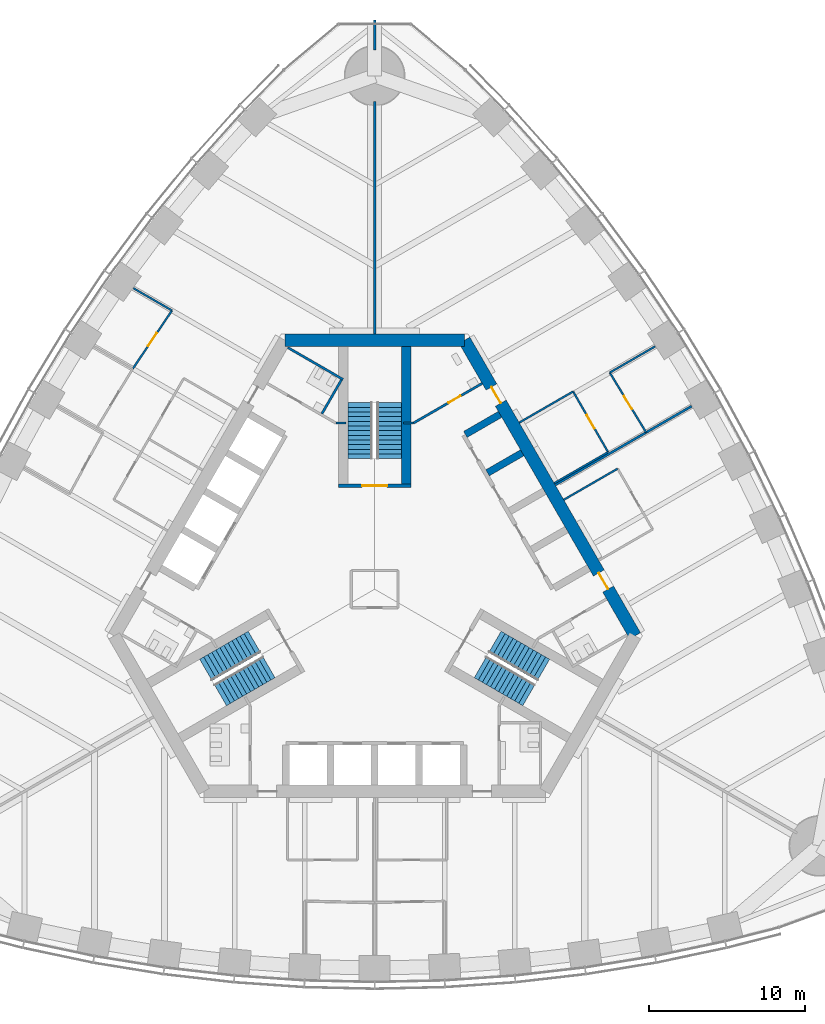
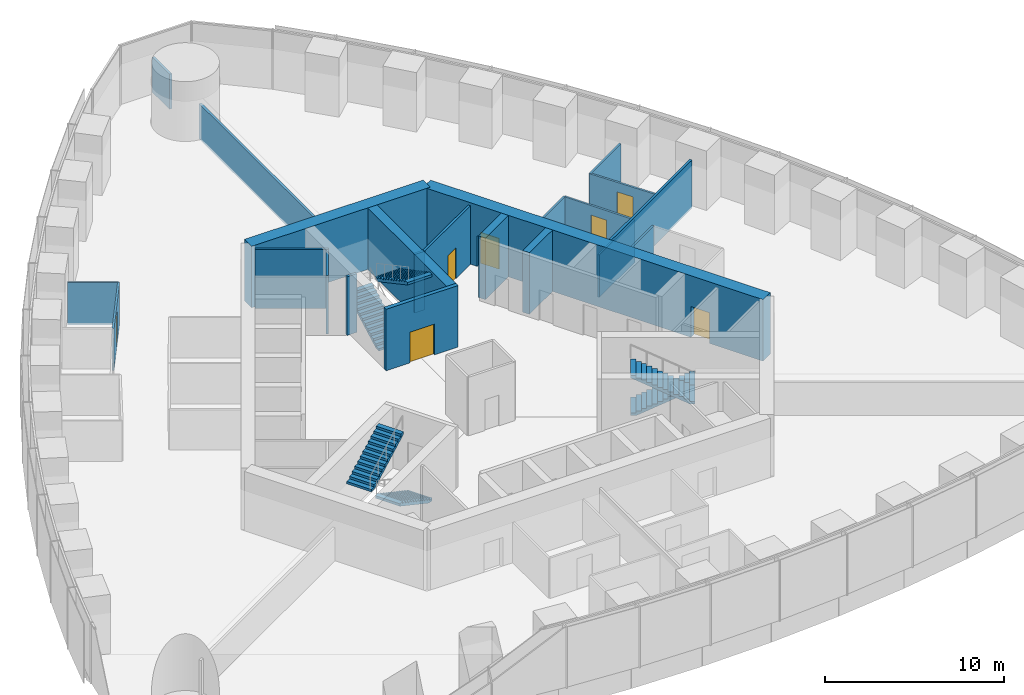
# One storey, part 13 of 18: 22 walls, 7 doors, 6 stair flights, 7 openings, 3 elements without a shape of their own.
"""IFC4 building model written with IfcOpenShell, lengths in metres."""

from ifc_helpers import new_model, si_unit, direction, frame, frame_2d, origin, place, context, subcontext, project, spatial, polyline, rectangle, outline, extrude, material, layer, layer_set, type_object, element, fill, aggregate, save


model = new_model("IFC4")

# Units and contexts
model_context = context("Model", 3, precision=1e-05, world=origin(), true_north=direction((0.0, 1.0)))
body_context = subcontext(model_context, "Body", "Model", "MODEL_VIEW")
ifc_project = project(units=[si_unit("LENGTHUNIT", "METRE"), si_unit("AREAUNIT", "SQUARE_METRE"), si_unit("VOLUMEUNIT", "CUBIC_METRE"), si_unit("PLANEANGLEUNIT", "RADIAN"), si_unit("MASSUNIT", "GRAM", prefix="KILO")], contexts=[model_context])

# Site, building, storey
site_placement = place(None, origin())
site = spatial("IfcSite", under=ifc_project, at=site_placement, CompositionType="ELEMENT")
building_placement = place(site_placement, origin())
building = spatial("IfcBuilding", under=site, at=building_placement, Name="Trefoil Bronze Tower", CompositionType="ELEMENT")
storey_placement = place(building_placement, frame((0.0, 0.0, 202.300048828125)))
storey = spatial("IfcBuildingStorey", under=building, at=storey_placement, Name="L46", CompositionType="ELEMENT", Elevation=202.300048828125)

# Wall, openings, doors
ifc_material_1 = material(Name="Concrete B80", Category="concrete")
ifc_layer_1 = layer(ifc_material_1, 0.800048828125)
ifc_layer_set_1 = layer_set([ifc_layer_1], Name="Core wall 800")
wall_type_1 = type_object("IfcWallType", Name="Core wall 800", PredefinedType="SHEAR", material=ifc_layer_set_1)
wall_1_placement = place(storey_placement, frame((16.7431640625, -3.0, 0.0), z_axis=(0.0, 0.0, 1.0), x_axis=(-0.500002442456, 0.866023993627, 0.0)))
wall_1 = element("IfcWall", 1, at=wall_1_placement, inside=storey, type_object=wall_type_1, Name="Core long wall 2 L46", PredefinedType="SHEAR", context=body_context, shape_type="SweptSolid", body=[
    extrude(rectangle(XDim=21.939453125, YDim=0.800048828125, at=frame_2d((10.9697265625, 0.0))), origin(), (0.0, 0.0, 1.0), 4.199951171875),
])
opening_1_placement = place(wall_1_placement, frame((17.269775390625, 0.0, 0.0)))
opening_1 = element("IfcOpeningElement", 2, at=opening_1_placement, cuts=wall_1, Name="Opening D2", PredefinedType="OPENING", context=body_context, shape_type="SweptSolid", body=[
    extrude(rectangle(XDim=1.199951171875, YDim=2.10009765625, at=frame_2d((0.60009765625, 1.050048828125))), frame((0.0, 0.409912109375, 0.0), z_axis=(0.0, -1.0, 0.0), x_axis=(1.0, 0.0, 0.0)), (0.0, 0.0, 1.0), 0.820068359375),
])
opening_2_placement = place(wall_1_placement, frame((3.4697265625, 0.0, 0.0)))
opening_2 = element("IfcOpeningElement", 3, at=opening_2_placement, cuts=wall_1, Name="Opening D2", PredefinedType="OPENING", context=body_context, shape_type="SweptSolid", body=[
    extrude(rectangle(XDim=1.199951171875, YDim=2.10009765625, at=frame_2d((0.60009765625, 1.050048828125))), frame((0.0, 0.409912109375, 0.0), z_axis=(0.0, -1.0, 0.0), x_axis=(1.0, 0.0, 0.0)), (0.0, 0.0, 1.0), 0.820068359375),
])
ifc_material_2 = material(Name="Steel door", Category="steel")
door_type_1 = type_object("IfcDoorType", Name="Lobby door 1200", OperationType="SINGLE_SWING_RIGHT", PredefinedType="DOOR", material=ifc_material_2)
door_1_placement = place(opening_1_placement, origin())
door_1 = element("IfcDoor", 4, at=door_1_placement, inside=storey, type_object=door_type_1, Name="Lobby door F2+ L46", OperationType="SINGLE_SWING_RIGHT", OverallHeight=2.10009765625, OverallWidth=1.199951171875, PredefinedType="DOOR", context=body_context, shape_type="SweptSolid", body=[
    extrude(rectangle(XDim=1.199951171875, YDim=2.10009765625, at=frame_2d((0.60009765625, 1.050048828125))), frame((0.0, 0.02490234375, 0.0), z_axis=(0.0, -1.0, 0.0), x_axis=(1.0, 0.0, 0.0)), (0.0, 0.0, 1.0), 0.050048828125),
])
fill(opening_1, door_1)
door_2_placement = place(opening_2_placement, origin())
door_2 = element("IfcDoor", 5, at=door_2_placement, inside=storey, type_object=door_type_1, Name="Lobby door F2- L46", OperationType="SINGLE_SWING_LEFT", OverallHeight=2.10009765625, OverallWidth=1.199951171875, PredefinedType="DOOR", context=body_context, shape_type="SweptSolid", body=[
    extrude(rectangle(XDim=1.199951171875, YDim=2.10009765625, at=frame_2d((0.60009765625, 1.050048828125))), frame((0.0, 0.02490234375, 0.0), z_axis=(0.0, -1.0, 0.0), x_axis=(1.0, 0.0, 0.0)), (0.0, 0.0, 1.0), 0.050048828125),
])
fill(opening_2, door_2)

# Wall
wall_2_placement = place(storey_placement, frame((5.7734375, 16.0, 0.0), z_axis=(0.0, 0.0, 1.0), x_axis=(-1.0, 0.0, 0.0)))
element("IfcWall", 6, at=wall_2_placement, inside=storey, type_object=wall_type_1, Name="Core short wall 2 L46", PredefinedType="SHEAR", context=body_context, shape_type="SweptSolid", body=[
    extrude(rectangle(XDim=11.546875, YDim=0.800048828125, at=frame_2d((5.7734375, 0.0))), origin(), (0.0, 0.0, 1.0), 4.199951171875),
])

# Wall, opening, door
ifc_material_3 = material(Name="Glazed partition", Category="glass")
ifc_layer_2 = layer(ifc_material_3, 0.1201171875)
ifc_layer_set_2 = layer_set([ifc_layer_2], Name="Glazed partition 120")
wall_type_2 = type_object("IfcWallType", Name="Glazed partition 120", PredefinedType="PARTITIONING", material=ifc_layer_set_2)
wall_3_placement = place(storey_placement, frame((15.00634765625, 8.808349609375, 0.0), z_axis=(0.0, 0.0, 1.0), x_axis=(-0.500013631625, 0.866017533419, 0.0)))
wall_3 = element("IfcWall", 7, at=wall_3_placement, inside=storey, type_object=wall_type_2, Name="Partition F2 L46", PredefinedType="PARTITIONING", context=body_context, shape_type="SweptSolid", body=[
    extrude(rectangle(XDim=4.499755859375, YDim=0.1201171875, at=frame_2d((2.25, 0.0))), origin(), (0.0, 0.0, 1.0), 2.89990234375),
])
opening_3_placement = place(wall_3_placement, frame((1.75, 0.0, 0.14990234375)))
opening_3 = element("IfcOpeningElement", 8, at=opening_3_placement, cuts=wall_3, Name="Opening D9", PredefinedType="OPENING", context=body_context, shape_type="SweptSolid", body=[
    extrude(rectangle(XDim=1.0, YDim=2.10009765625, at=frame_2d((0.5, 1.050048828125))), frame((0.0, 0.070068359375, 0.0), z_axis=(0.0, -1.0, 0.0), x_axis=(1.0, 0.0, 0.0)), (0.0, 0.0, 1.0), 0.14013671875),
])
ifc_material_4 = material(Name="Glazed timber door", Category="wood")
door_type_2 = type_object("IfcDoorType", Name="Meeting room door 1000", OperationType="SINGLE_SWING_LEFT", PredefinedType="DOOR", material=ifc_material_4)
door_3_placement = place(opening_3_placement, origin())
door_3 = element("IfcDoor", 9, at=door_3_placement, inside=storey, type_object=door_type_2, Name="Project room door F2 L46", OperationType="SINGLE_SWING_LEFT", OverallHeight=2.10009765625, OverallWidth=1.0, PredefinedType="DOOR", context=body_context, shape_type="SweptSolid", body=[
    extrude(rectangle(XDim=1.0, YDim=2.10009765625, at=frame_2d((0.5, 1.050048828125))), frame((0.0, 0.02490234375, 0.0), z_axis=(0.0, -1.0, 0.0), x_axis=(1.0, 0.0, 0.0)), (0.0, 0.0, 1.0), 0.050048828125),
])
fill(opening_3, door_3)

# Walls
for number, where, z_axis, x_axis, name in (
    (10, (11.542236328125, 6.808349609375, 0.0), (0.0, 0.0, 1.0), (0.866026010844, 0.49999894854, 0.0), "Partition F2 L46"),
    (11, (9.292236328125, 10.705322265625, 0.0), (0.0, 0.0, 1.0), (0.866026010844, 0.49999894854, 0.0), "Partition F2 L46"),
    (12, (12.15478515625, 5.747314453125, 0.0), (0.0, 0.0, 1.0), (0.866026010844, 0.49999894854, 0.0), "Partition F2 L46"),
):
    element("IfcWall", number, at=place(storey_placement, frame(where, z_axis=z_axis, x_axis=x_axis)), inside=storey, type_object=wall_type_2, Name=name, PredefinedType="PARTITIONING", context=body_context, shape_type="SweptSolid", body=[
        extrude(rectangle(XDim=4.0, YDim=0.1201171875, at=frame_2d((2.0, 0.0))), origin(), (0.0, 0.0, 1.0), 2.89990234375),
    ])

# Wall, opening, door
wall_4_placement = place(storey_placement, frame((17.450927734375, 10.075439453125, 0.0), z_axis=(0.0, 0.0, 1.0), x_axis=(-0.519790350351, 0.85429385558, 0.0)))
wall_4 = element("IfcWall", 13, at=wall_4_placement, inside=storey, type_object=wall_type_2, Name="Partition F2 L46", PredefinedType="PARTITIONING", context=body_context, shape_type="SweptSolid", body=[
    extrude(rectangle(XDim=4.5009765625, YDim=0.1201171875, at=frame_2d((2.25048828125, 0.0))), origin(), (0.0, 0.0, 1.0), 2.89990234375),
])
opening_4_placement = place(wall_4_placement, frame((1.75, 0.0, 0.14990234375)))
opening_4 = element("IfcOpeningElement", 14, at=opening_4_placement, cuts=wall_4, Name="Opening D9", PredefinedType="OPENING", context=body_context, shape_type="SweptSolid", body=[
    extrude(rectangle(XDim=1.0, YDim=2.10009765625, at=frame_2d((0.5, 1.050048828125))), frame((0.0, 0.070068359375, 0.0), z_axis=(0.0, -1.0, 0.0), x_axis=(1.0, 0.0, 0.0)), (0.0, 0.0, 1.0), 0.14013671875),
])
door_4_placement = place(opening_4_placement, frame((1.0, 0.0, 0.0), z_axis=(0.0, 0.0, 1.0), x_axis=(-1.0, 0.0, 0.0)))
door_4 = element("IfcDoor", 15, at=door_4_placement, inside=storey, type_object=door_type_2, Name="Meeting room door F2 L46", OperationType="SINGLE_SWING_RIGHT", OverallHeight=2.10009765625, OverallWidth=1.0, PredefinedType="DOOR", context=body_context, shape_type="SweptSolid", body=[
    extrude(rectangle(XDim=1.0, YDim=2.10009765625, at=frame_2d((0.5, 1.050048828125))), frame((0.0, 0.02490234375, 0.0), z_axis=(0.0, -1.0, 0.0), x_axis=(1.0, 0.0, 0.0)), (0.0, 0.0, 1.0), 0.050048828125),
])
fill(opening_4, door_4)

# Wall
wall_5_placement = place(storey_placement, frame((15.111328125, 13.920654296875, 0.0), z_axis=(0.0, 0.0, 1.0), x_axis=(0.865999698775, 0.50004451974, 0.0)))
element("IfcWall", 16, at=wall_5_placement, inside=storey, type_object=wall_type_2, Name="Partition F2 L46", PredefinedType="PARTITIONING", context=body_context, shape_type="SweptSolid", body=[
    extrude(rectangle(XDim=3.368408203125, YDim=0.1201171875, at=frame_2d((1.68408203125, 0.0))), origin(), (0.0, 0.0, 1.0), 2.89990234375),
])

# Wall, opening, door
wall_6_placement = place(storey_placement, frame((-13.025146484375, 17.912353515625, 0.0), z_axis=(0.0, 0.0, 1.0), x_axis=(-0.55850386778, -0.829501916619, 0.0)))
wall_6 = element("IfcWall", 17, at=wall_6_placement, inside=storey, type_object=wall_type_2, Name="Partition F3 L46", PredefinedType="PARTITIONING", context=body_context, shape_type="SweptSolid", body=[
    extrude(rectangle(XDim=4.5107421875, YDim=0.1201171875, at=frame_2d((2.25537109375, 0.0))), origin(), (0.0, 0.0, 1.0), 2.89990234375),
])
opening_5_placement = place(wall_6_placement, frame((1.75, 0.0, 0.14990234375)))
opening_5 = element("IfcOpeningElement", 18, at=opening_5_placement, cuts=wall_6, Name="Opening D9", PredefinedType="OPENING", context=body_context, shape_type="SweptSolid", body=[
    extrude(rectangle(XDim=1.0, YDim=2.10009765625, at=frame_2d((0.5, 1.050048828125))), frame((0.0, 0.070068359375, 0.0), z_axis=(0.0, -1.0, 0.0), x_axis=(1.0, 0.0, 0.0)), (0.0, 0.0, 1.0), 0.14013671875),
])
door_5_placement = place(opening_5_placement, frame((1.0, 0.0, 0.0), z_axis=(0.0, 0.0, 1.0), x_axis=(-1.0, 0.0, 0.0)))
door_5 = element("IfcDoor", 19, at=door_5_placement, inside=storey, type_object=door_type_2, Name="Project room door F3 L46", OperationType="SINGLE_SWING_RIGHT", OverallHeight=2.10009765625, OverallWidth=1.0, PredefinedType="DOOR", context=body_context, shape_type="SweptSolid", body=[
    extrude(rectangle(XDim=1.0, YDim=2.10009765625, at=frame_2d((0.5, 1.050048828125))), frame((0.0, 0.02490234375, 0.0), z_axis=(0.0, -1.0, 0.0), x_axis=(1.0, 0.0, 0.0)), (0.0, 0.0, 1.0), 0.050048828125),
])
fill(opening_5, door_5)

# Walls
wall_7_placement = place(storey_placement, frame((-13.025146484375, 17.912353515625, 0.0), z_axis=(0.0, 0.0, 1.0), x_axis=(-0.866009501729, 0.500027542156, 0.0)))
element("IfcWall", 20, at=wall_7_placement, inside=storey, type_object=wall_type_2, Name="Partition F3 L46", PredefinedType="PARTITIONING", context=body_context, shape_type="SweptSolid", body=[
    extrude(rectangle(XDim=2.863037109375, YDim=0.1201171875, at=frame_2d((1.431640625, 0.0))), origin(), (0.0, 0.0, 1.0), 2.89990234375),
])
ifc_material_5 = material(Name="Concrete B80", Category="concrete")
ifc_layer_3 = layer(ifc_material_5, 0.449951171875)
ifc_layer_set_3 = layer_set([ifc_layer_3], Name="Outrigger shaft wall 450")
wall_type_3 = type_object("IfcWallType", Name="Outrigger shaft wall 450", PredefinedType="SHEAR", material=ifc_layer_set_3)
wall_8_placement = place(storey_placement, frame((7.2568359375, 7.480712890625, 0.0), z_axis=(0.0, 0.0, 1.0), x_axis=(0.866046643894, 0.499963209246, 0.0)))
element("IfcWall", 21, at=wall_8_placement, inside=storey, type_object=wall_type_3, Name="Lift shaft side wall B3 L46", PredefinedType="SHEAR", context=body_context, shape_type="SweptSolid", body=[
    extrude(rectangle(XDim=2.574951171875, YDim=0.449951171875, at=frame_2d((1.28759765625, 0.0))), origin(), (0.0, 0.0, 1.0), 4.199951171875),
])
wall_9_placement = place(storey_placement, frame((5.831787109375, 9.94873046875, 0.0), z_axis=(0.0, 0.0, 1.0), x_axis=(0.866029291668, 0.499993265928, 0.0)))
element("IfcWall", 22, at=wall_9_placement, inside=storey, type_object=wall_type_3, Name="Lift shaft side wall B4 L46", PredefinedType="SHEAR", context=body_context, shape_type="SweptSolid", body=[
    extrude(rectangle(XDim=2.5751953125, YDim=0.449951171875, at=frame_2d((1.28759765625, 0.0))), origin(), (0.0, 0.0, 1.0), 4.199951171875),
])

# Wall, opening, door
ifc_material_6 = material(Name="Gypsum board on steel studs", Category="steel")
ifc_layer_4 = layer(ifc_material_6, 0.14990234375)
ifc_layer_set_4 = layer_set([ifc_layer_4], Name="Partition 150")
wall_type_4 = type_object("IfcWallType", Name="Partition 150", PredefinedType="PARTITIONING", material=ifc_layer_set_4)
wall_10_placement = place(storey_placement, frame((2.4951171875, 10.67822265625, 0.0), z_axis=(0.0, 0.0, 1.0), x_axis=(0.86602216432, 0.500005610874, 0.0)))
wall_10 = element("IfcWall", 23, at=wall_10_placement, inside=storey, type_object=wall_type_4, Name="Passage wall F2+ L46", PredefinedType="PARTITIONING", context=body_context, shape_type="SweptSolid", body=[
    extrude(rectangle(XDim=5.10009765625, YDim=0.14990234375, at=frame_2d((2.550048828125, 0.0))), origin(), (0.0, 0.0, 1.0), 4.0),
])
opening_6_placement = place(wall_10_placement, frame((2.60009765625, 0.0, 0.0)))
opening_6 = element("IfcOpeningElement", 24, at=opening_6_placement, cuts=wall_10, Name="Opening D3", PredefinedType="OPENING", context=body_context, shape_type="SweptSolid", body=[
    extrude(rectangle(XDim=0.89990234375, YDim=2.10009765625, at=frame_2d((0.449951171875, 1.050048828125))), frame((0.0, 0.0849609375, 0.0), z_axis=(0.0, -1.0, 0.0), x_axis=(1.0, 0.0, 0.0)), (0.0, 0.0, 1.0), 0.169921875),
])
ifc_material_7 = material(Name="Timber door", Category="wood")
door_type_3 = type_object("IfcDoorType", Name="WC door 900", OperationType="SINGLE_SWING_LEFT", PredefinedType="DOOR", material=ifc_material_7)
door_6_placement = place(opening_6_placement, origin())
door_6 = element("IfcDoor", 25, at=door_6_placement, inside=storey, type_object=door_type_3, Name="Accessible WC door L46", OperationType="SINGLE_SWING_RIGHT", OverallHeight=2.10009765625, OverallWidth=0.89990234375, PredefinedType="DOOR", context=body_context, shape_type="SweptSolid", body=[
    extrude(rectangle(XDim=0.89990234375, YDim=2.10009765625, at=frame_2d((0.449951171875, 1.050048828125))), frame((0.0, 0.02490234375, 0.0), z_axis=(0.0, -1.0, 0.0), x_axis=(1.0, 0.0, 0.0)), (0.0, 0.0, 1.0), 0.050048828125),
])
fill(opening_6, door_6)

# Walls
for number, where, z_axis, x_axis, name in (
    (26, (2.4951171875, 10.67822265625, 0.0), (0.0, 0.0, 1.0), (-1.0, 0.0, 0.0), "WC wall ST2-1 L46"),
    (27, (-2.4951171875, 10.67822265625, 0.0), (0.0, 0.0, 1.0), (1.0, 0.0, 0.0), "WC wall ST2+1 L46"),
):
    element("IfcWall", number, at=place(storey_placement, frame(where, z_axis=z_axis, x_axis=x_axis)), inside=storey, type_object=wall_type_4, Name=name, PredefinedType="PARTITIONING", context=body_context, shape_type="SweptSolid", body=[
        extrude(rectangle(XDim=0.64501953125, YDim=0.14990234375, at=frame_2d((0.322509765625, 0.0))), origin(), (0.0, 0.0, 1.0), 4.0),
    ])
wall_11_placement = place(storey_placement, frame((-2.03125, 13.48193359375, 0.0), z_axis=(0.0, 0.0, 1.0), x_axis=(-0.866050731258, 0.499956128963, 0.0)))
element("IfcWall", 28, at=wall_11_placement, inside=storey, type_object=wall_type_4, Name="WC partition WC (women) L46", PredefinedType="PARTITIONING", context=body_context, shape_type="SweptSolid", body=[
    extrude(rectangle(XDim=4.099853515625, YDim=0.14990234375, at=frame_2d((2.0498046875, 0.0))), origin(), (0.0, 0.0, 1.0), 4.0),
])
wall_12_placement = place(storey_placement, frame((-3.388671875, 11.28076171875, 0.0), z_axis=(0.0, 0.0, 1.0), x_axis=(0.499989096993, 0.866031698547, 0.0)))
element("IfcWall", 29, at=wall_12_placement, inside=storey, type_object=wall_type_4, Name="WC partition WC (women) L46", PredefinedType="PARTITIONING", context=body_context, shape_type="SweptSolid", body=[
    extrude(rectangle(XDim=2.509765625, YDim=0.14990234375, at=frame_2d((1.2548828125, 0.0))), origin(), (0.0, 0.0, 1.0), 4.0),
])
ifc_material_8 = material(Name="Gypsum board on steel studs", Category="steel")
ifc_layer_5 = layer(ifc_material_8, 0.14990234375)
ifc_layer_set_5 = layer_set([ifc_layer_5], Name="Party wall 150")
wall_type_5 = type_object("IfcWallType", Name="Party wall 150", PredefinedType="PARTITIONING", material=ifc_layer_set_5)
wall_13_placement = place(storey_placement, frame((0.0, 16.39990234375, 0.0), z_axis=(0.0, 0.0, 1.0), x_axis=(0.0, 1.0, 0.0)))
element("IfcWall", 30, at=wall_13_placement, inside=storey, type_object=wall_type_5, Name="Party wall K2 L46", PredefinedType="PARTITIONING", context=body_context, shape_type="SweptSolid", body=[
    extrude(rectangle(XDim=14.9501953125, YDim=0.14990234375, at=frame_2d((7.47509765625, 0.0))), origin(), (0.0, 0.0, 1.0), 2.39990234375),
])
wall_14_placement = place(storey_placement, frame((0.0, 34.64990234375, 0.0), z_axis=(0.0, 0.0, 1.0), x_axis=(0.0, 1.0, 0.0)))
element("IfcWall", 31, at=wall_14_placement, inside=storey, type_object=wall_type_5, Name="Party wall K2 L46", PredefinedType="PARTITIONING", context=body_context, shape_type="SweptSolid", body=[
    extrude(rectangle(XDim=1.934814453125, YDim=0.14990234375, at=frame_2d((0.96728515625, 0.0))), origin(), (0.0, 0.0, 1.0), 2.39990234375),
])
wall_15_placement = place(storey_placement, frame((11.61328125, 6.705078125, 0.0), z_axis=(0.0, 0.0, 1.0), x_axis=(0.866032382055, 0.499987913086, 0.0)))
element("IfcWall", 32, at=wall_15_placement, inside=storey, type_object=wall_type_5, Name="Demising wall F2 L46", PredefinedType="PARTITIONING", context=body_context, shape_type="SweptSolid", body=[
    extrude(rectangle(XDim=10.110595703125, YDim=0.14990234375, at=frame_2d((5.05517578125, 0.0))), origin(), (0.0, 0.0, 1.0), 3.300048828125),
])

# Wall, opening, door
ifc_material_9 = material(Name="Concrete B80", Category="concrete")
ifc_layer_6 = layer(ifc_material_9, 0.25)
ifc_layer_set_6 = layer_set([ifc_layer_6], Name="Shaft wall 250")
wall_type_6 = type_object("IfcWallType", Name="Shaft wall 250", PredefinedType="SHEAR", material=ifc_layer_set_6)
wall_16_placement = place(storey_placement, frame((2.324951171875, 6.64990234375, 0.0), z_axis=(0.0, 0.0, 1.0), x_axis=(-1.0, 0.0, 0.0)))
wall_16 = element("IfcWall", 33, at=wall_16_placement, inside=storey, type_object=wall_type_6, Name="Stair end wall ST2 L46", PredefinedType="SHEAR", context=body_context, shape_type="SweptSolid", body=[
    extrude(rectangle(XDim=4.64990234375, YDim=0.25, at=frame_2d((2.324951171875, 0.0))), origin(), (0.0, 0.0, 1.0), 4.199951171875),
])
opening_7_placement = place(wall_16_placement, frame((1.52490234375, 0.0, 0.0)))
opening_7 = element("IfcOpeningElement", 34, at=opening_7_placement, cuts=wall_16, Name="Opening D1", PredefinedType="OPENING", context=body_context, shape_type="SweptSolid", body=[
    extrude(rectangle(XDim=1.60009765625, YDim=2.10009765625, at=frame_2d((0.800048828125, 1.050048828125))), frame((0.0, 0.135009765625, 0.0), z_axis=(0.0, -1.0, 0.0), x_axis=(1.0, 0.0, 0.0)), (0.0, 0.0, 1.0), 0.27001953125),
])
ifc_material_10 = material(Name="Steel door", Category="steel")
door_type_4 = type_object("IfcDoorType", Name="Stair door 1600", OperationType="DOUBLE_DOOR_SINGLE_SWING", PredefinedType="DOOR", material=ifc_material_10)
door_7_placement = place(opening_7_placement, frame((1.60009765625, 0.0, 0.0), z_axis=(0.0, 0.0, 1.0), x_axis=(-1.0, 0.0, 0.0)))
door_7 = element("IfcDoor", 35, at=door_7_placement, inside=storey, type_object=door_type_4, Name="Stair door ST2 L46", OperationType="DOUBLE_DOOR_SINGLE_SWING", OverallHeight=2.10009765625, OverallWidth=1.60009765625, PredefinedType="DOOR", context=body_context, shape_type="SweptSolid", body=[
    extrude(rectangle(XDim=1.60009765625, YDim=2.10009765625, at=frame_2d((0.800048828125, 1.050048828125))), frame((0.0, 0.02490234375, 0.0), z_axis=(0.0, -1.0, 0.0), x_axis=(1.0, 0.0, 0.0)), (0.0, 0.0, 1.0), 0.050048828125),
])
fill(opening_7, door_7)

# Wall
ifc_material_11 = material(Name="Concrete B80", Category="concrete")
ifc_layer_7 = layer(ifc_material_11, 0.60009765625)
ifc_layer_set_7 = layer_set([ifc_layer_7], Name="Stair wall 600")
wall_type_7 = type_object("IfcWallType", Name="Stair wall 600", PredefinedType="SHEAR", material=ifc_layer_set_7)
wall_17_placement = place(storey_placement, frame((2.02490234375, 6.52490234375, 0.0), z_axis=(0.0, 0.0, 1.0), x_axis=(0.0, 1.0, 0.0)))
element("IfcWall", 36, at=wall_17_placement, inside=storey, type_object=wall_type_7, Name="Stair wall ST2 L46", PredefinedType="SHEAR", context=body_context, shape_type="SweptSolid", body=[
    extrude(rectangle(XDim=9.0751953125, YDim=0.60009765625, at=frame_2d((4.53759765625, 0.0))), origin(), (0.0, 0.0, 1.0), 4.199951171875),
])

# Stair, stair flights
ifc_material_12 = material(Name="Precast concrete B80", Category="concrete")
stair_type = type_object("IfcStairType", Name="Exit stair 26 risers", PredefinedType="HALF_TURN_STAIR", material=ifc_material_12)
stair_1_placement = place(storey_placement, origin())
stair_1 = element("IfcStair", 37, at=stair_1_placement, inside=storey, type_object=stair_type, Name="Stair ST1 L46", PredefinedType="HALF_TURN_STAIR")
ifc_material_13 = material(Name="Precast concrete B80", Category="concrete")
stair_flight_type = type_object("IfcStairFlightType", Name="Stair flight 1600", PredefinedType="STRAIGHT", material=ifc_material_13)
stair_flight_1_placement = place(storey_placement, frame((7.728515625, -3.39404296875, 0.0), z_axis=(0.0, 0.0, 1.0), x_axis=(0.866025403784, -0.5, 0.0)))
stair_flight_1 = element("IfcStairFlight", 38, at=stair_flight_1_placement, type_object=stair_flight_type, Name="ST1 flight 1", NumberOfRisers=13, NumberOfTreads=12, PredefinedType="STRAIGHT", RiserHeight=0.161538462, TreadLength=0.3, context=body_context, shape_type="SweptSolid", body=[
    extrude(outline(polyline([(0.0, 0.0), (0.0, 0.16162109375), (0.300048828125, 0.16162109375), (0.300048828125, 0.322998046875), (0.60009765625, 0.322998046875), (0.60009765625, 0.484619140625), (0.89990234375, 0.484619140625), (0.89990234375, 0.646240234375), (1.199951171875, 0.646240234375), (1.199951171875, 0.8076171875), (1.5, 0.8076171875), (1.5, 0.96923828125), (1.800048828125, 0.96923828125), (1.800048828125, 1.130859375), (2.10009765625, 1.130859375), (2.10009765625, 1.292236328125), (2.39990234375, 1.292236328125), (2.39990234375, 1.453857421875), (2.699951171875, 1.453857421875), (2.699951171875, 1.615478515625), (3.0, 1.615478515625), (3.0, 1.77685546875), (3.300048828125, 1.77685546875), (3.300048828125, 1.9384765625), (3.60009765625, 1.9384765625), (3.60009765625, 2.10009765625), (3.60009765625, 1.768310546875), (0.316162109375, 0.0), (0.0, 0.0)])), frame((0.0, 0.800048828125, 0.0), z_axis=(0.0, -1.0, 0.0), x_axis=(1.0, 0.0, 0.0)), (0.0, 0.0, 1.0), 1.60009765625),
])
stair_flight_2_placement = place(storey_placement, frame((9.921142578125, -6.796142578125, 2.099853515625), z_axis=(0.0, 0.0, 1.0), x_axis=(-0.866025403784, 0.5, 0.0)))
stair_flight_2 = element("IfcStairFlight", 39, at=stair_flight_2_placement, type_object=stair_flight_type, Name="ST1 flight 2", NumberOfRisers=13, NumberOfTreads=12, PredefinedType="STRAIGHT", RiserHeight=0.161538462, TreadLength=0.3, context=body_context, shape_type="SweptSolid", body=[
    extrude(outline(polyline([(0.0, 0.0), (0.0, 0.16162109375), (0.300048828125, 0.16162109375), (0.300048828125, 0.322998046875), (0.60009765625, 0.322998046875), (0.60009765625, 0.484619140625), (0.89990234375, 0.484619140625), (0.89990234375, 0.646240234375), (1.199951171875, 0.646240234375), (1.199951171875, 0.8076171875), (1.5, 0.8076171875), (1.5, 0.96923828125), (1.800048828125, 0.96923828125), (1.800048828125, 1.130859375), (2.10009765625, 1.130859375), (2.10009765625, 1.292236328125), (2.39990234375, 1.292236328125), (2.39990234375, 1.453857421875), (2.699951171875, 1.453857421875), (2.699951171875, 1.615478515625), (3.0, 1.615478515625), (3.0, 1.77685546875), (3.300048828125, 1.77685546875), (3.300048828125, 1.9384765625), (3.60009765625, 1.9384765625), (3.60009765625, 2.10009765625), (3.60009765625, 1.768310546875), (0.316162109375, 0.0), (0.0, 0.0)])), frame((0.0, 0.800048828125, 0.0), z_axis=(0.0, -1.0, 0.0), x_axis=(1.0, 0.0, 0.0)), (0.0, 0.0, 1.0), 1.60009765625),
])
aggregate(stair_1, [stair_flight_1, stair_flight_2])

stair_2_placement = place(storey_placement, origin())
stair_2 = element("IfcStair", 40, at=stair_2_placement, inside=storey, type_object=stair_type, Name="Stair ST2 L46", PredefinedType="HALF_TURN_STAIR")
stair_flight_3_placement = place(storey_placement, frame((-0.925048828125, 8.389892578125, 0.0), z_axis=(0.0, 0.0, 1.0), x_axis=(0.0, 1.0, 0.0)))
stair_flight_3 = element("IfcStairFlight", 41, at=stair_flight_3_placement, type_object=stair_flight_type, Name="ST2 flight 1", NumberOfRisers=13, NumberOfTreads=12, PredefinedType="STRAIGHT", RiserHeight=0.161538462, TreadLength=0.3, context=body_context, shape_type="SweptSolid", body=[
    extrude(outline(polyline([(0.0, 0.0), (0.0, 0.16162109375), (0.300048828125, 0.16162109375), (0.300048828125, 0.322998046875), (0.60009765625, 0.322998046875), (0.60009765625, 0.484619140625), (0.89990234375, 0.484619140625), (0.89990234375, 0.646240234375), (1.199951171875, 0.646240234375), (1.199951171875, 0.8076171875), (1.5, 0.8076171875), (1.5, 0.96923828125), (1.800048828125, 0.96923828125), (1.800048828125, 1.130859375), (2.10009765625, 1.130859375), (2.10009765625, 1.292236328125), (2.39990234375, 1.292236328125), (2.39990234375, 1.453857421875), (2.699951171875, 1.453857421875), (2.699951171875, 1.615478515625), (3.0, 1.615478515625), (3.0, 1.77685546875), (3.300048828125, 1.77685546875), (3.300048828125, 1.9384765625), (3.60009765625, 1.9384765625), (3.60009765625, 2.10009765625), (3.60009765625, 1.768310546875), (0.316162109375, 0.0), (0.0, 0.0)])), frame((0.0, 0.800048828125, 0.0), z_axis=(0.0, -1.0, 0.0), x_axis=(1.0, 0.0, 0.0)), (0.0, 0.0, 1.0), 1.60009765625),
])
stair_flight_4_placement = place(storey_placement, frame((0.925048828125, 11.989990234375, 2.099853515625), z_axis=(0.0, 0.0, 1.0), x_axis=(0.0, -1.0, 0.0)))
stair_flight_4 = element("IfcStairFlight", 42, at=stair_flight_4_placement, type_object=stair_flight_type, Name="ST2 flight 2", NumberOfRisers=13, NumberOfTreads=12, PredefinedType="STRAIGHT", RiserHeight=0.161538462, TreadLength=0.3, context=body_context, shape_type="SweptSolid", body=[
    extrude(outline(polyline([(0.0, 0.0), (0.0, 0.16162109375), (0.300048828125, 0.16162109375), (0.300048828125, 0.322998046875), (0.60009765625, 0.322998046875), (0.60009765625, 0.484619140625), (0.89990234375, 0.484619140625), (0.89990234375, 0.646240234375), (1.199951171875, 0.646240234375), (1.199951171875, 0.8076171875), (1.5, 0.8076171875), (1.5, 0.96923828125), (1.800048828125, 0.96923828125), (1.800048828125, 1.130859375), (2.10009765625, 1.130859375), (2.10009765625, 1.292236328125), (2.39990234375, 1.292236328125), (2.39990234375, 1.453857421875), (2.699951171875, 1.453857421875), (2.699951171875, 1.615478515625), (3.0, 1.615478515625), (3.0, 1.77685546875), (3.300048828125, 1.77685546875), (3.300048828125, 1.9384765625), (3.60009765625, 1.9384765625), (3.60009765625, 2.10009765625), (3.60009765625, 1.768310546875), (0.316162109375, 0.0), (0.0, 0.0)])), frame((0.0, 0.800048828125, 0.0), z_axis=(0.0, -1.0, 0.0), x_axis=(1.0, 0.0, 0.0)), (0.0, 0.0, 1.0), 1.60009765625),
])
aggregate(stair_2, [stair_flight_3, stair_flight_4])

stair_3_placement = place(storey_placement, origin())
stair_3 = element("IfcStair", 43, at=stair_3_placement, inside=storey, type_object=stair_type, Name="Stair ST3 L46", PredefinedType="HALF_TURN_STAIR")
stair_flight_5_placement = place(storey_placement, frame((-6.803466796875, -4.99609375, 0.0), z_axis=(0.0, 0.0, 1.0), x_axis=(-0.866025403784, -0.5, 0.0)))
stair_flight_5 = element("IfcStairFlight", 44, at=stair_flight_5_placement, type_object=stair_flight_type, Name="ST3 flight 1", NumberOfRisers=13, NumberOfTreads=12, PredefinedType="STRAIGHT", RiserHeight=0.161538462, TreadLength=0.3, context=body_context, shape_type="SweptSolid", body=[
    extrude(outline(polyline([(0.0, 0.0), (0.0, 0.16162109375), (0.300048828125, 0.16162109375), (0.300048828125, 0.322998046875), (0.60009765625, 0.322998046875), (0.60009765625, 0.484619140625), (0.89990234375, 0.484619140625), (0.89990234375, 0.646240234375), (1.199951171875, 0.646240234375), (1.199951171875, 0.8076171875), (1.5, 0.8076171875), (1.5, 0.96923828125), (1.800048828125, 0.96923828125), (1.800048828125, 1.130859375), (2.10009765625, 1.130859375), (2.10009765625, 1.292236328125), (2.39990234375, 1.292236328125), (2.39990234375, 1.453857421875), (2.699951171875, 1.453857421875), (2.699951171875, 1.615478515625), (3.0, 1.615478515625), (3.0, 1.77685546875), (3.300048828125, 1.77685546875), (3.300048828125, 1.9384765625), (3.60009765625, 1.9384765625), (3.60009765625, 2.10009765625), (3.60009765625, 1.768310546875), (0.316162109375, 0.0), (0.0, 0.0)])), frame((0.0, 0.800048828125, 0.0), z_axis=(0.0, -1.0, 0.0), x_axis=(1.0, 0.0, 0.0)), (0.0, 0.0, 1.0), 1.60009765625),
])
stair_flight_6_placement = place(storey_placement, frame((-10.84619140625, -5.19384765625, 2.099853515625), z_axis=(0.0, 0.0, 1.0), x_axis=(0.866025403784, 0.5, 0.0)))
stair_flight_6 = element("IfcStairFlight", 45, at=stair_flight_6_placement, type_object=stair_flight_type, Name="ST3 flight 2", NumberOfRisers=13, NumberOfTreads=12, PredefinedType="STRAIGHT", RiserHeight=0.161538462, TreadLength=0.3, context=body_context, shape_type="SweptSolid", body=[
    extrude(outline(polyline([(0.0, 0.0), (0.0, 0.16162109375), (0.300048828125, 0.16162109375), (0.300048828125, 0.322998046875), (0.60009765625, 0.322998046875), (0.60009765625, 0.484619140625), (0.89990234375, 0.484619140625), (0.89990234375, 0.646240234375), (1.199951171875, 0.646240234375), (1.199951171875, 0.8076171875), (1.5, 0.8076171875), (1.5, 0.96923828125), (1.800048828125, 0.96923828125), (1.800048828125, 1.130859375), (2.10009765625, 1.130859375), (2.10009765625, 1.292236328125), (2.39990234375, 1.292236328125), (2.39990234375, 1.453857421875), (2.699951171875, 1.453857421875), (2.699951171875, 1.615478515625), (3.0, 1.615478515625), (3.0, 1.77685546875), (3.300048828125, 1.77685546875), (3.300048828125, 1.9384765625), (3.60009765625, 1.9384765625), (3.60009765625, 2.10009765625), (3.60009765625, 1.768310546875), (0.316162109375, 0.0), (0.0, 0.0)])), frame((0.0, 0.800048828125, 0.0), z_axis=(0.0, -1.0, 0.0), x_axis=(1.0, 0.0, 0.0)), (0.0, 0.0, 1.0), 1.60009765625),
])
aggregate(stair_3, [stair_flight_5, stair_flight_6])

save(model, "model.ifc")
